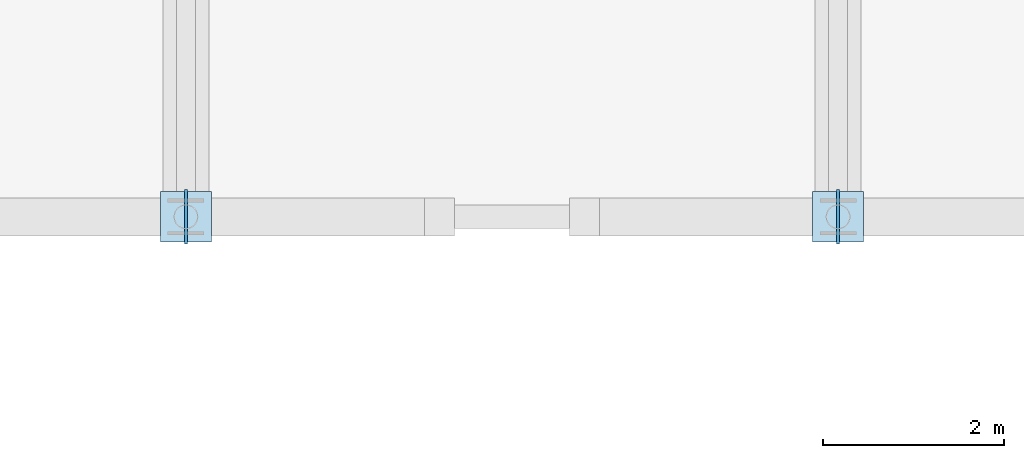
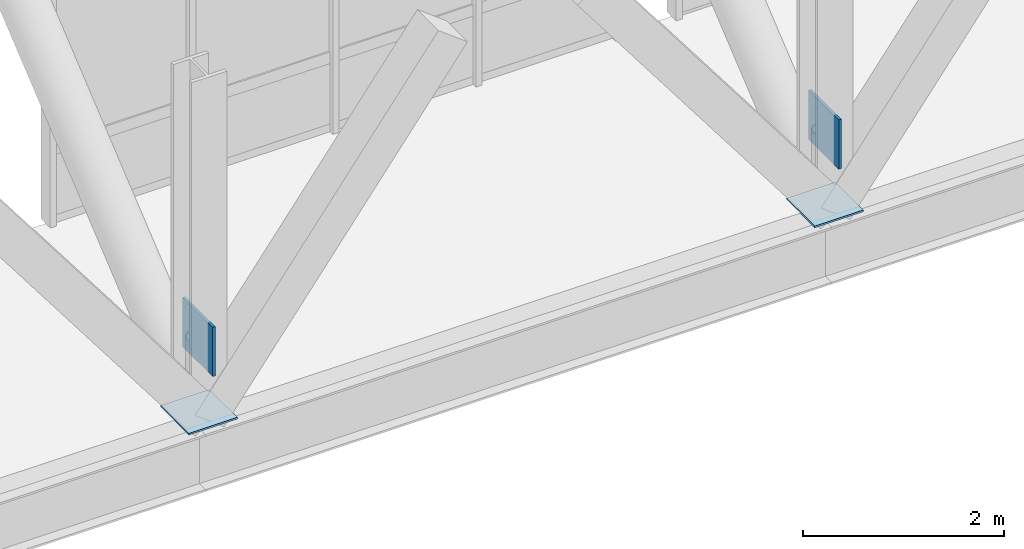
# One storey, part 86 of 102: 4 plates.
"""IFC4 building model written with IfcOpenShell, lengths in metres."""

from ifc_helpers import new_model, si_unit, direction, frame, origin, origin_2d, place, context, subcontext, project, spatial, rectangle, extrude, material, layer, layer_set, type_object, element, save


model = new_model("IFC4")

# Units and contexts
model_context = context("Model", 3, precision=1e-05, world=origin(), true_north=direction((0.0, 1.0)))
body_context = subcontext(model_context, "Body", "Model", "MODEL_VIEW")
ifc_project = project(units=[si_unit("LENGTHUNIT", "METRE"), si_unit("AREAUNIT", "SQUARE_METRE"), si_unit("VOLUMEUNIT", "CUBIC_METRE"), si_unit("PLANEANGLEUNIT", "RADIAN"), si_unit("MASSUNIT", "GRAM", prefix="KILO")], contexts=[model_context])

# Site, building, storey
site_placement = place(None, origin())
site = spatial("IfcSite", under=ifc_project, at=site_placement, CompositionType="ELEMENT")
building_placement = place(site_placement, origin())
building = spatial("IfcBuilding", under=site, at=building_placement, Name="Yarey Park Central Fire Station", CompositionType="ELEMENT")
storey_placement = place(building_placement, frame((0.0, 0.0, 6.0)))
storey = spatial("IfcBuildingStorey", under=building, at=storey_placement, Name="L02", CompositionType="ELEMENT", Elevation=6.0)

# Plates
ifc_material = material(Name="Steel ASTM A572 Gr. 50", Category="steel")
ifc_layer_1 = layer(ifc_material, 0.02001953125)
ifc_layer_set_1 = layer_set([ifc_layer_1], Name="Steel ASTM A572 Gr. 50")
plate_type_1 = type_object("IfcPlateType", Name="STR_PLT_CAP1", PredefinedType="USERDEFINED", material=ifc_layer_set_1)
for number, where, z_axis, x_axis, name in (
    (1, (115.199951171875, 57.60009765625, -0.010009765625), (0.0, 0.0, 1.0), (1.0, 0.0, 0.0), "CAP_PLT_ART_084"),
    (2, (122.39990234375, 57.60009765625, -0.010009765625), (0.0, 0.0, 1.0), (1.0, 0.0, 0.0), "CAP_PLT_ART_089"),
):
    element("IfcPlate", number, at=place(storey_placement, frame(where, z_axis=z_axis, x_axis=x_axis)), inside=storey, type_object=plate_type_1, Name=name, ObjectType="GUSSET_PLATE", PredefinedType="USERDEFINED", context=body_context, shape_type="SweptSolid", body=[
        extrude(rectangle(XDim=0.56005859375, YDim=0.56005859375, at=origin_2d()), origin(), (0.0, 0.0, 1.0), 0.02001953125),
    ])
ifc_layer_2 = layer(ifc_material, 0.030029296875)
ifc_layer_set_2 = layer_set([ifc_layer_2], Name="Steel ASTM A572 Gr. 50")
plate_type_2 = type_object("IfcPlateType", Name="STR_PLT_NODE1", PredefinedType="USERDEFINED", material=ifc_layer_set_2)
for number, where, z_axis, x_axis, name in (
    (3, (115.199951171875, 57.60009765625, 0.619873046875), (0.0, 0.0, 1.0), (1.0, 0.0, 0.0), "NODE_PLT_ART_083"),
    (4, (122.39990234375, 57.60009765625, 0.619873046875), (0.0, 0.0, 1.0), (1.0, 0.0, 0.0), "NODE_PLT_ART_088"),
):
    element("IfcPlate", number, at=place(storey_placement, frame(where, z_axis=z_axis, x_axis=x_axis)), inside=storey, type_object=plate_type_2, Name=name, ObjectType="GUSSET_PLATE", PredefinedType="USERDEFINED", context=body_context, shape_type="SweptSolid", body=[
        extrude(rectangle(XDim=0.030029296875, YDim=0.60009765625, at=origin_2d()), origin(), (0.0, 0.0, 1.0), 0.60009765625),
    ])

save(model, "model.ifc")
